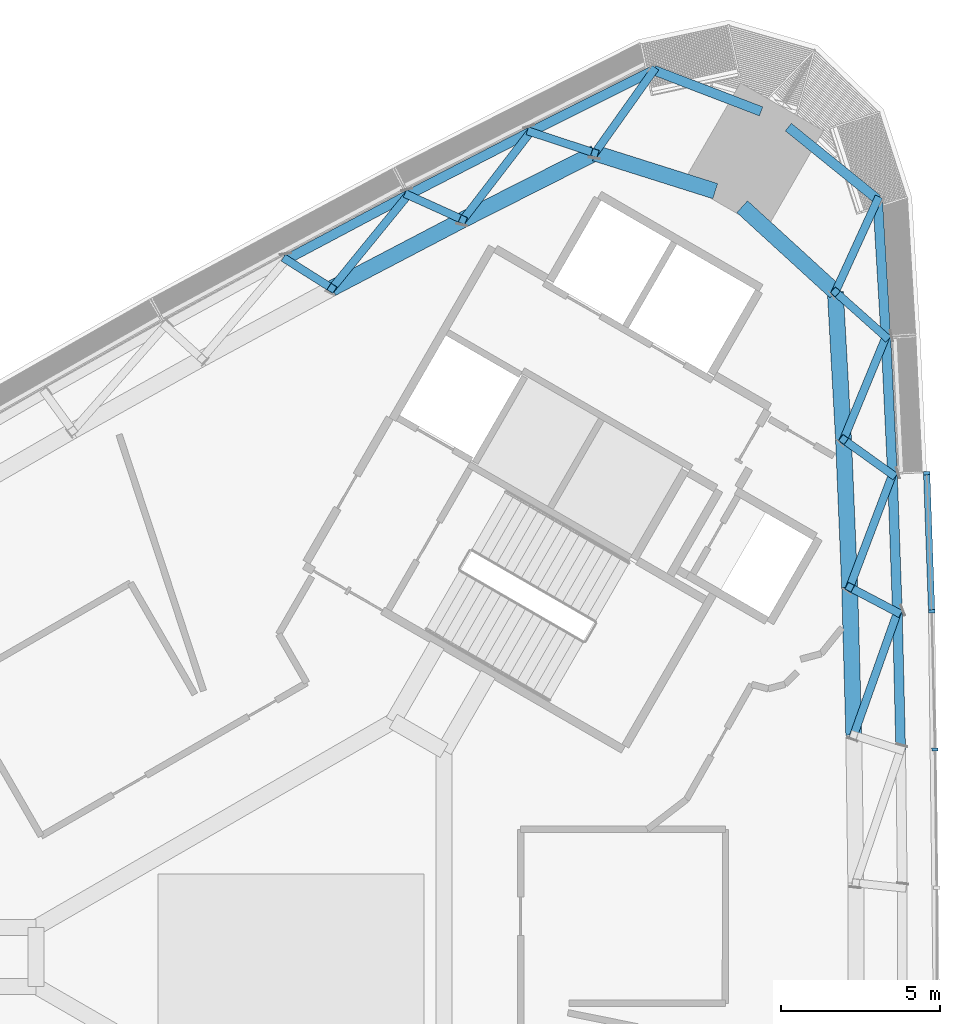
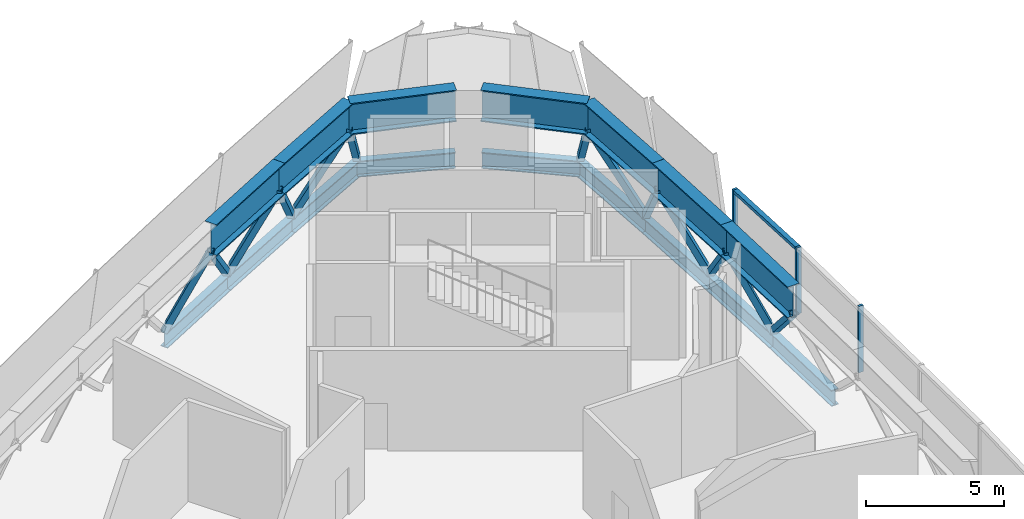
# One storey, part 4 of 18: 17 members, 16 beams, 1 element without a shape of its own.
"""IFC4 building model written with IfcOpenShell, lengths in metres."""

from ifc_helpers import new_model, si_unit, direction, frame, origin, origin_2d, place, context, subcontext, project, spatial, rectangle, hollow_rectangle, i_section, extrude, material, material_profile, profile_set, type_object, element, aggregate, save


model = new_model("IFC4")

# Units and contexts
model_context = context("Model", 3, precision=1e-05, world=origin(), true_north=direction((0.0, 1.0)))
body_context = subcontext(model_context, "Body", "Model", "MODEL_VIEW")
ifc_project = project(units=[si_unit("LENGTHUNIT", "METRE"), si_unit("AREAUNIT", "SQUARE_METRE"), si_unit("VOLUMEUNIT", "CUBIC_METRE"), si_unit("PLANEANGLEUNIT", "RADIAN"), si_unit("MASSUNIT", "GRAM", prefix="KILO")], contexts=[model_context])

# Site, building, storey
site_placement = place(None, origin())
site = spatial("IfcSite", under=ifc_project, at=site_placement, CompositionType="ELEMENT")
building_placement = place(site_placement, origin())
building = spatial("IfcBuilding", under=site, at=building_placement, Name="Tamra Quay Hotel Tower", CompositionType="ELEMENT")
storey_placement = place(building_placement, frame((0.0, 0.0, 164.800048828125)))
storey = spatial("IfcBuildingStorey", under=building, at=storey_placement, Name="L41", CompositionType="ELEMENT", Elevation=164.800048828125)

# Members
ifc_material_1 = material(Name="Structural steel IS 2062 E350", Category="steel")
ifc_material_profile_1 = material_profile(ifc_material_1, hollow_rectangle(XDim=0.25, YDim=0.25, WallThickness=0.010009765625, at=origin_2d()), Name="SHS 250x250x10")
ifc_profile_set_1 = profile_set([ifc_material_profile_1], Name="Structural steel IS 2062 E350")
member_type_1 = type_object("IfcMemberType", Name="BELT BRACE SHS 250x250x10 Z3", PredefinedType="BRACE", material=ifc_profile_set_1)
member_1_placement = place(storey_placement, frame((19.015869140625, 10.8046875, -0.400146484375), z_axis=(-0.251192541949, -0.706899397326, 0.661207644337), x_axis=(0.942277562119, -0.334832788011, 0.0)))
element("IfcMember", 1, at=member_1_placement, inside=storey, type_object=member_type_1, Name="BR-L41-013", PredefinedType="BRACE", context=body_context, shape_type="SweptSolid", body=[
    extrude(hollow_rectangle(XDim=0.25, YDim=0.25, WallThickness=0.010009765625, at=origin_2d()), origin(), (0.0, 0.0, 1.0), 5.44482421875),
])
member_2_placement = place(storey_placement, frame((19.015869140625, 10.8046875, -0.400146484375), z_axis=(-0.376263405849, 0.197952607482, 0.905119116255), x_axis=(-0.465597670501, -0.884996502379, 0.0)))
element("IfcMember", 2, at=member_2_placement, inside=storey, type_object=member_type_1, Name="BR-L41-014", PredefinedType="BRACE", context=body_context, shape_type="SweptSolid", body=[
    extrude(hollow_rectangle(XDim=0.25, YDim=0.25, WallThickness=0.010009765625, at=origin_2d()), origin(), (0.0, 0.0, 1.0), 3.9775390625),
])
member_3_placement = place(storey_placement, frame((18.86083984375, 15.124267578125, -0.400146484375), z_axis=(-0.257055786748, -0.676812215227, 0.689817039379), x_axis=(0.934844500172, -0.35505740451, 0.0)))
element("IfcMember", 3, at=member_3_placement, inside=storey, type_object=member_type_1, Name="BR-L41-015", PredefinedType="BRACE", context=body_context, shape_type="SweptSolid", body=[
    extrude(hollow_rectangle(XDim=0.25, YDim=0.25, WallThickness=0.010009765625, at=origin_2d()), origin(), (0.0, 0.0, 1.0), 5.218994140625),
])
member_4_placement = place(storey_placement, frame((18.86083984375, 15.124267578125, -0.400146484375), z_axis=(-0.377428221593, 0.27089557798, 0.885530080447), x_axis=(-0.583095237624, -0.812403805912, 0.0)))
element("IfcMember", 4, at=member_4_placement, inside=storey, type_object=member_type_1, Name="BR-L41-016", PredefinedType="BRACE", context=body_context, shape_type="SweptSolid", body=[
    extrude(hollow_rectangle(XDim=0.25, YDim=0.25, WallThickness=0.010009765625, at=origin_2d()), origin(), (0.0, 0.0, 1.0), 4.0654296875),
])
member_5_placement = place(storey_placement, frame((18.654541015625, 19.4423828125, -0.400146484375), z_axis=(-0.265241201597, -0.64242979269, 0.718979183592), x_axis=(0.924317379234, -0.381624661736, 0.0)))
element("IfcMember", 5, at=member_5_placement, inside=storey, type_object=member_type_1, Name="BR-L41-017", PredefinedType="BRACE", context=body_context, shape_type="SweptSolid", body=[
    extrude(hollow_rectangle(XDim=0.25, YDim=0.25, WallThickness=0.010009765625, at=origin_2d()), origin(), (0.0, 0.0, 1.0), 5.00732421875),
])
member_6_placement = place(storey_placement, frame((18.654541015625, 19.4423828125, -0.400146484375), z_axis=(-0.379184998272, 0.338240961952, 0.861284963728), x_axis=(-0.665668484894, -0.746247591768, 0.0)))
element("IfcMember", 6, at=member_6_placement, inside=storey, type_object=member_type_1, Name="BR-L41-018", PredefinedType="BRACE", context=body_context, shape_type="SweptSolid", body=[
    extrude(hollow_rectangle(XDim=0.25, YDim=0.25, WallThickness=0.010009765625, at=origin_2d()), origin(), (0.0, 0.0, 1.0), 4.179931640625),
])
member_7_placement = place(storey_placement, frame((18.396728515625, 23.757080078125, -0.400146484375), z_axis=(-0.275908327099, -0.603079974723, 0.748444479655), x_axis=(0.90935206783, -0.416027423054, 0.0)))
element("IfcMember", 7, at=member_7_placement, inside=storey, type_object=member_type_1, Name="BR-L41-019", PredefinedType="BRACE", context=body_context, shape_type="SweptSolid", body=[
    extrude(hollow_rectangle(XDim=0.25, YDim=0.25, WallThickness=0.010009765625, at=origin_2d()), origin(), (0.0, 0.0, 1.0), 4.81005859375),
])
member_8_placement = place(storey_placement, frame((11.3759765625, 27.810546875, -0.400146484375), z_axis=(-0.384363733345, -0.540484536695, 0.748425671716), x_axis=(0.814941670365, -0.579542987105, 0.0)))
element("IfcMember", 8, at=member_8_placement, inside=storey, type_object=member_type_1, Name="BR-L41-020", PredefinedType="BRACE", context=body_context, shape_type="SweptSolid", body=[
    extrude(hollow_rectangle(XDim=0.25, YDim=0.25, WallThickness=0.010009765625, at=origin_2d()), origin(), (0.0, 0.0, 1.0), 4.810302734375),
])
member_9_placement = place(storey_placement, frame((7.51025390625, 25.87646484375, -0.400146484375), z_axis=(0.482509722969, -0.15927902367, 0.861286572436), x_axis=(0.313467637818, 0.949598883761, 0.0)))
element("IfcMember", 9, at=member_9_placement, inside=storey, type_object=member_type_1, Name="BR-L41-021", PredefinedType="BRACE", context=body_context, shape_type="SweptSolid", body=[
    extrude(hollow_rectangle(XDim=0.25, YDim=0.25, WallThickness=0.010009765625, at=origin_2d()), origin(), (0.0, 0.0, 1.0), 4.179931640625),
])
member_10_placement = place(storey_placement, frame((7.51025390625, 25.87646484375, -0.400146484375), z_axis=(-0.423751919965, -0.550911626243, 0.71897892208), x_axis=(0.792642243797, -0.609687029015, 0.0)))
element("IfcMember", 10, at=member_10_placement, inside=storey, type_object=member_type_1, Name="BR-L41-022", PredefinedType="BRACE", context=body_context, shape_type="SweptSolid", body=[
    extrude(hollow_rectangle(XDim=0.25, YDim=0.25, WallThickness=0.010009765625, at=origin_2d()), origin(), (0.0, 0.0, 1.0), 5.00732421875),
])
member_11_placement = place(storey_placement, frame((3.66748046875, 23.896240234375, -0.400146484375), z_axis=(0.423307052143, -0.191446004005, 0.88552784663), x_axis=(0.412078450892, 0.911148368989, 0.0)))
element("IfcMember", 11, at=member_11_placement, inside=storey, type_object=member_type_1, Name="BR-L41-023", PredefinedType="BRACE", context=body_context, shape_type="SweptSolid", body=[
    extrude(hollow_rectangle(XDim=0.25, YDim=0.25, WallThickness=0.010009765625, at=origin_2d()), origin(), (0.0, 0.0, 1.0), 4.0654296875),
])
member_12_placement = place(storey_placement, frame((3.66748046875, 23.896240234375, -0.400146484375), z_axis=(-0.457600639297, -0.561030920782, 0.68981588909), x_axis=(0.7749208199, -0.632058322377, 0.0)))
element("IfcMember", 12, at=member_12_placement, inside=storey, type_object=member_type_1, Name="BR-L41-024", PredefinedType="BRACE", context=body_context, shape_type="SweptSolid", body=[
    extrude(hollow_rectangle(XDim=0.25, YDim=0.25, WallThickness=0.010009765625, at=origin_2d()), origin(), (0.0, 0.0, 1.0), 5.218994140625),
])
member_13_placement = place(storey_placement, frame((-0.150634765625, 21.87060546875, -0.400146484375), z_axis=(0.359515061557, -0.226868305876, 0.905140703042), x_axis=(0.53366700105, 0.845694703774, 0.0)))
element("IfcMember", 13, at=member_13_placement, inside=storey, type_object=member_type_1, Name="BR-L41-025", PredefinedType="BRACE", context=body_context, shape_type="SweptSolid", body=[
    extrude(hollow_rectangle(XDim=0.25, YDim=0.25, WallThickness=0.010009765625, at=origin_2d()), origin(), (0.0, 0.0, 1.0), 3.977294921875),
])

# Beams
ifc_material_profile_2 = material_profile(ifc_material_1, i_section(OverallWidth=0.303955078125, OverallDepth=0.716064453125, WebThickness=0.02099609375, FlangeThickness=0.0400390625, at=origin_2d()), Name="WPB 700x300x300")
ifc_profile_set_2 = profile_set([ifc_material_profile_2], Name="Structural steel IS 2062 E350")
beam_type_1 = type_object("IfcBeamType", Name="BELT CHORD WPB 700x300x300 Z3", PredefinedType="BEAM", material=ifc_profile_set_2)
for number, where, z_axis, x_axis, name in (
    (14, (19.119140625, 6.483642578125, -0.758056640625), (-0.023892832606, 0.999714525527, 0.0), (-0.999714525527, -0.023892832606, 0.0), "BM-CHB-L41-007"),
    (15, (19.015869140625, 10.8046875, -0.758056640625), (-0.035866807647, 0.999356579059, 0.0), (-0.999356579059, -0.035866807647, 0.0), "BM-CHB-L41-008"),
):
    element("IfcBeam", number, at=place(storey_placement, frame(where, z_axis=z_axis, x_axis=x_axis)), inside=storey, type_object=beam_type_1, Name=name, PredefinedType="BEAM", context=body_context, shape_type="SweptSolid", body=[
        extrude(i_section(OverallWidth=0.303955078125, OverallDepth=0.716064453125, WebThickness=0.02099609375, FlangeThickness=0.0400390625, at=origin_2d()), origin(), (0.0, 0.0, 1.0), 4.322265625),
    ])
beam_1_placement = place(storey_placement, frame((18.86083984375, 15.124267578125, -0.758056640625), z_axis=(-0.047720772552, 0.998860714948, 0.0), x_axis=(-0.998860714948, -0.047720772552, 0.0)))
element("IfcBeam", 16, at=beam_1_placement, inside=storey, type_object=beam_type_1, Name="BM-CHB-L41-009", PredefinedType="BEAM", context=body_context, shape_type="SweptSolid", body=[
    extrude(i_section(OverallWidth=0.303955078125, OverallDepth=0.716064453125, WebThickness=0.02099609375, FlangeThickness=0.0400390625, at=origin_2d()), origin(), (0.0, 0.0, 1.0), 4.322998046875),
])
beam_2_placement = place(storey_placement, frame((18.654541015625, 19.4423828125, -0.758056640625), z_axis=(-0.059645781891, 0.998219605449, 0.0), x_axis=(-0.998219605449, -0.059645781891, 0.0)))
element("IfcBeam", 17, at=beam_2_placement, inside=storey, type_object=beam_type_1, Name="BM-CHB-L41-010", PredefinedType="BEAM", context=body_context, shape_type="SweptSolid", body=[
    extrude(i_section(OverallWidth=0.303955078125, OverallDepth=0.716064453125, WebThickness=0.02099609375, FlangeThickness=0.0400390625, at=origin_2d()), origin(), (0.0, 0.0, 1.0), 4.322509765625),
])
beam_3_placement = place(storey_placement, frame((18.396728515625, 23.757080078125, -0.758056640625), z_axis=(-0.777200697482, 0.629252791677, 0.0), x_axis=(-0.629252791677, -0.777200697482, 0.0)))
element("IfcBeam", 18, at=beam_3_placement, inside=storey, type_object=beam_type_1, Name="BM-CHB-L41-011", PredefinedType="BEAM", context=body_context, shape_type="SweptSolid", body=[
    extrude(i_section(OverallWidth=0.303955078125, OverallDepth=0.716064453125, WebThickness=0.02099609375, FlangeThickness=0.0400390625, at=origin_2d()), origin(), (0.0, 0.0, 1.0), 3.60400390625),
])
beam_4_placement = place(storey_placement, frame((14.74072265625, 26.5185546875, -0.758056640625), z_axis=(-0.933544482386, 0.358461573123, 0.0), x_axis=(-0.358461573123, -0.933544482386, 0.0)))
element("IfcBeam", 19, at=beam_4_placement, inside=storey, type_object=beam_type_1, Name="BM-CHB-L41-012", PredefinedType="BEAM", context=body_context, shape_type="SweptSolid", body=[
    extrude(i_section(OverallWidth=0.303955078125, OverallDepth=0.716064453125, WebThickness=0.02099609375, FlangeThickness=0.0400390625, at=origin_2d()), origin(), (0.0, 0.0, 1.0), 3.604248046875),
])
beam_5_placement = place(storey_placement, frame((11.3759765625, 27.810546875, -0.758056640625), z_axis=(-0.894314201219, -0.44743950373, 0.0), x_axis=(0.44743950373, -0.894314201219, 0.0)))
element("IfcBeam", 20, at=beam_5_placement, inside=storey, type_object=beam_type_1, Name="BM-CHB-L41-013", PredefinedType="BEAM", context=body_context, shape_type="SweptSolid", body=[
    extrude(i_section(OverallWidth=0.303955078125, OverallDepth=0.716064453125, WebThickness=0.02099609375, FlangeThickness=0.0400390625, at=origin_2d()), origin(), (0.0, 0.0, 1.0), 4.322509765625),
])
beam_6_placement = place(storey_placement, frame((7.51025390625, 25.87646484375, -0.758056640625), z_axis=(-0.888916721876, -0.458068839335, 0.0), x_axis=(0.458068839335, -0.888916721876, 0.0)))
element("IfcBeam", 21, at=beam_6_placement, inside=storey, type_object=beam_type_1, Name="BM-CHB-L41-014", PredefinedType="BEAM", context=body_context, shape_type="SweptSolid", body=[
    extrude(i_section(OverallWidth=0.303955078125, OverallDepth=0.716064453125, WebThickness=0.02099609375, FlangeThickness=0.0400390625, at=origin_2d()), origin(), (0.0, 0.0, 1.0), 4.322998046875),
])
beam_7_placement = place(storey_placement, frame((3.66748046875, 23.896240234375, -0.758056640625), z_axis=(-0.88337813376, -0.468660935853, 0.0), x_axis=(0.468660935853, -0.88337813376, 0.0)))
element("IfcBeam", 22, at=beam_7_placement, inside=storey, type_object=beam_type_1, Name="BM-CHB-L41-015", PredefinedType="BEAM", context=body_context, shape_type="SweptSolid", body=[
    extrude(i_section(OverallWidth=0.303955078125, OverallDepth=0.716064453125, WebThickness=0.02099609375, FlangeThickness=0.0400390625, at=origin_2d()), origin(), (0.0, 0.0, 1.0), 4.322265625),
])
ifc_material_profile_3 = material_profile(ifc_material_1, i_section(OverallWidth=0.5, OverallDepth=1.39990234375, WebThickness=0.02490234375, FlangeThickness=0.050048828125, at=origin_2d()), Name="WPG 1400x500x25x50")
ifc_profile_set_3 = profile_set([ifc_material_profile_3], Name="Structural steel IS 2062 E350")
beam_type_2 = type_object("IfcBeamType", Name="BELT TOP CHORD WPG 1400x500x25x50 Z3", PredefinedType="USERDEFINED", material=ifc_profile_set_3)
beam_8_placement = place(storey_placement, frame((17.648193359375, 6.955810546875, 3.75), z_axis=(-0.027793366414, 0.999613689774, 0.0), x_axis=(-0.999613689774, -0.027793366414, 0.0)))
element("IfcBeam", 23, at=beam_8_placement, inside=storey, type_object=beam_type_2, Name="BM-CHT-L41-006", ObjectType="TRANSFER GIRDER", PredefinedType="USERDEFINED", context=body_context, shape_type="SweptSolid", body=[
    extrude(i_section(OverallWidth=0.5, OverallDepth=1.39990234375, WebThickness=0.02490234375, FlangeThickness=0.050048828125, at=origin_2d()), origin(), (0.0, 0.0, 1.0), 4.637939453125),
])
beam_9_placement = place(storey_placement, frame((17.519287109375, 11.592041015625, 3.75), z_axis=(-0.041588940225, 0.999134805745, 0.0), x_axis=(-0.999134805745, -0.041588940225, 0.0)))
element("IfcBeam", 24, at=beam_9_placement, inside=storey, type_object=beam_type_2, Name="BM-CHT-L41-007", ObjectType="TRANSFER GIRDER", PredefinedType="USERDEFINED", context=body_context, shape_type="SweptSolid", body=[
    extrude(i_section(OverallWidth=0.5, OverallDepth=1.39990234375, WebThickness=0.02490234375, FlangeThickness=0.050048828125, at=origin_2d()), origin(), (0.0, 0.0, 1.0), 4.637451171875),
])
beam_10_placement = place(storey_placement, frame((17.326416015625, 16.2255859375, 3.75), z_axis=(-0.055379636718, 0.998465370374, 0.0), x_axis=(-0.998465370374, -0.055379636718, 0.0)))
element("IfcBeam", 25, at=beam_10_placement, inside=storey, type_object=beam_type_2, Name="BM-CHT-L41-008", ObjectType="TRANSFER GIRDER", PredefinedType="USERDEFINED", context=body_context, shape_type="SweptSolid", body=[
    extrude(i_section(OverallWidth=0.5, OverallDepth=1.39990234375, WebThickness=0.02490234375, FlangeThickness=0.050048828125, at=origin_2d()), origin(), (0.0, 0.0, 1.0), 4.6376953125),
])
beam_11_placement = place(storey_placement, frame((17.069580078125, 20.856201171875, 3.75), z_axis=(-0.737729632314, 0.67509628173, 0.0), x_axis=(-0.67509628173, -0.737729632314, 0.0)))
element("IfcBeam", 26, at=beam_11_placement, inside=storey, type_object=beam_type_2, Name="BM-CHT-L41-009", ObjectType="TRANSFER GIRDER", PredefinedType="USERDEFINED", context=body_context, shape_type="SweptSolid", body=[
    extrude(i_section(OverallWidth=0.5, OverallDepth=1.39990234375, WebThickness=0.02490234375, FlangeThickness=0.050048828125, at=origin_2d()), origin(), (0.0, 0.0, 1.0), 3.960205078125),
])
beam_12_placement = place(storey_placement, frame((13.302978515625, 24.017333984375, 3.75), z_axis=(-0.953511824231, 0.301355605641, 0.0), x_axis=(-0.301355605641, -0.953511824231, 0.0)))
element("IfcBeam", 27, at=beam_12_placement, inside=storey, type_object=beam_type_2, Name="BM-CHT-L41-010", ObjectType="TRANSFER GIRDER", PredefinedType="USERDEFINED", context=body_context, shape_type="SweptSolid", body=[
    extrude(i_section(OverallWidth=0.5, OverallDepth=1.39990234375, WebThickness=0.02490234375, FlangeThickness=0.050048828125, at=origin_2d()), origin(), (0.0, 0.0, 1.0), 3.9599609375),
])
beam_13_placement = place(storey_placement, frame((9.527099609375, 25.210693359375, 3.75), z_axis=(-0.892396579497, -0.451251974956, 0.0), x_axis=(0.451251974956, -0.892396579497, 0.0)))
element("IfcBeam", 28, at=beam_13_placement, inside=storey, type_object=beam_type_2, Name="BM-CHT-L41-011", ObjectType="TRANSFER GIRDER", PredefinedType="USERDEFINED", context=body_context, shape_type="SweptSolid", body=[
    extrude(i_section(OverallWidth=0.5, OverallDepth=1.39990234375, WebThickness=0.02490234375, FlangeThickness=0.050048828125, at=origin_2d()), origin(), (0.0, 0.0, 1.0), 4.6376953125),
])
beam_14_placement = place(storey_placement, frame((5.388427734375, 23.117919921875, 3.75), z_axis=(-0.88607459412, -0.463542677275, 0.0), x_axis=(0.463542677275, -0.88607459412, 0.0)))
element("IfcBeam", 29, at=beam_14_placement, inside=storey, type_object=beam_type_2, Name="BM-CHT-L41-012", ObjectType="TRANSFER GIRDER", PredefinedType="USERDEFINED", context=body_context, shape_type="SweptSolid", body=[
    extrude(i_section(OverallWidth=0.5, OverallDepth=1.39990234375, WebThickness=0.02490234375, FlangeThickness=0.050048828125, at=origin_2d()), origin(), (0.0, 0.0, 1.0), 4.637451171875),
])

# Curtain wall, members
ifc_material_2 = material(Name="Aluminium 6063 anodised dark grey", Category="aluminium")
curtain_wall_type = type_object("IfcCurtainWallType", Name="CW1 CURTAIN WALL", PredefinedType="NOTDEFINED", material=ifc_material_2)
curtain_wall_placement = place(storey_placement, origin())
curtain_wall = element("IfcCurtainWall", 30, at=curtain_wall_placement, inside=storey, type_object=curtain_wall_type, Name="CW1 east face L41", PredefinedType="NOTDEFINED")
ifc_material_profile_4 = material_profile(ifc_material_2, rectangle(XDim=0.199951171875, YDim=0.10009765625, at=origin_2d()), Name="MULLION 100X200")
ifc_profile_set_4 = profile_set([ifc_material_profile_4], Name="Aluminium 6063 anodised dark grey")
member_type_2 = type_object("IfcMemberType", Name="MULLION CW1 Z3", PredefinedType="MULLION", material=ifc_profile_set_4)
member_14_placement = place(storey_placement, frame((20.19384765625, 6.502685546875, 0.0), z_axis=(0.0, 0.0, 1.0), x_axis=(0.999839296613, 0.017927100952, 0.0)))
member_14 = element("IfcMember", 31, at=member_14_placement, type_object=member_type_2, Name="CW1 mullion L41.E.6", PredefinedType="MULLION", context=body_context, shape_type="SweptSolid", body=[
    extrude(rectangle(XDim=0.199951171875, YDim=0.10009765625, at=origin_2d()), origin(), (0.0, 0.0, 1.0), 2.949951171875),
])
member_15_placement = place(storey_placement, frame((20.09033203125, 10.8369140625, 0.0), z_axis=(0.0, 0.0, 1.0), x_axis=(0.99955376094, 0.029871039316, 0.0)))
member_15 = element("IfcMember", 32, at=member_15_placement, type_object=member_type_2, Name="CW1 mullion L41.E.7", PredefinedType="MULLION", context=body_context, shape_type="SweptSolid", body=[
    extrude(rectangle(XDim=0.199951171875, YDim=0.10009765625, at=origin_2d()), origin(), (0.0, 0.0, 1.0), 2.949951171875),
])
member_16_placement = place(storey_placement, frame((19.934814453125, 15.169677734375, 0.0), z_axis=(0.0, 0.0, 1.0), x_axis=(0.999126145585, 0.041796473646, 0.0)))
member_16 = element("IfcMember", 33, at=member_16_placement, type_object=member_type_2, Name="CW1 mullion L41.E.8", PredefinedType="MULLION", context=body_context, shape_type="SweptSolid", body=[
    extrude(rectangle(XDim=0.199951171875, YDim=0.10009765625, at=origin_2d()), origin(), (0.0, 0.0, 1.0), 2.949951171875),
])
ifc_material_profile_5 = material_profile(ifc_material_2, rectangle(XDim=0.199951171875, YDim=0.139892578125, at=origin_2d()), Name="TRANSOM 200X140")
ifc_profile_set_5 = profile_set([ifc_material_profile_5], Name="Aluminium 6063 anodised dark grey")
member_type_3 = type_object("IfcMemberType", Name="TRANSOM CW1 Z3", PredefinedType="USERDEFINED", material=ifc_profile_set_5)
member_17_placement = place(storey_placement, frame((20.088623046875, 10.886962890625, 2.8798828125), z_axis=(-0.035853958526, 0.99935704013, 0.0), x_axis=(-0.99935704013, -0.035853958526, 0.0)))
member_17 = element("IfcMember", 34, at=member_17_placement, type_object=member_type_3, Name="CW1 transom L41.E.7", ObjectType="TRANSOM", PredefinedType="USERDEFINED", context=body_context, shape_type="SweptSolid", body=[
    extrude(rectangle(XDim=0.199951171875, YDim=0.139892578125, at=origin_2d()), origin(), (0.0, 0.0, 1.0), 4.2353515625),
])
aggregate(curtain_wall, [member_14, member_15, member_17, member_16])

save(model, "model.ifc")
